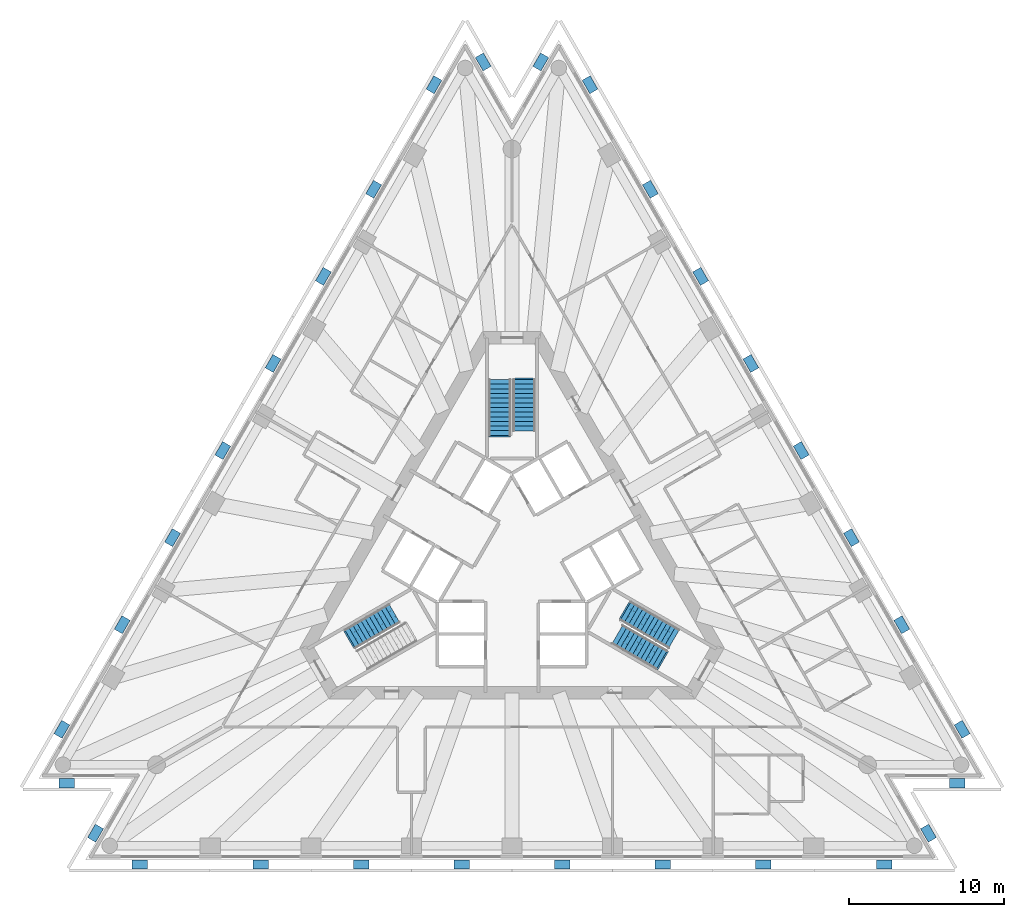
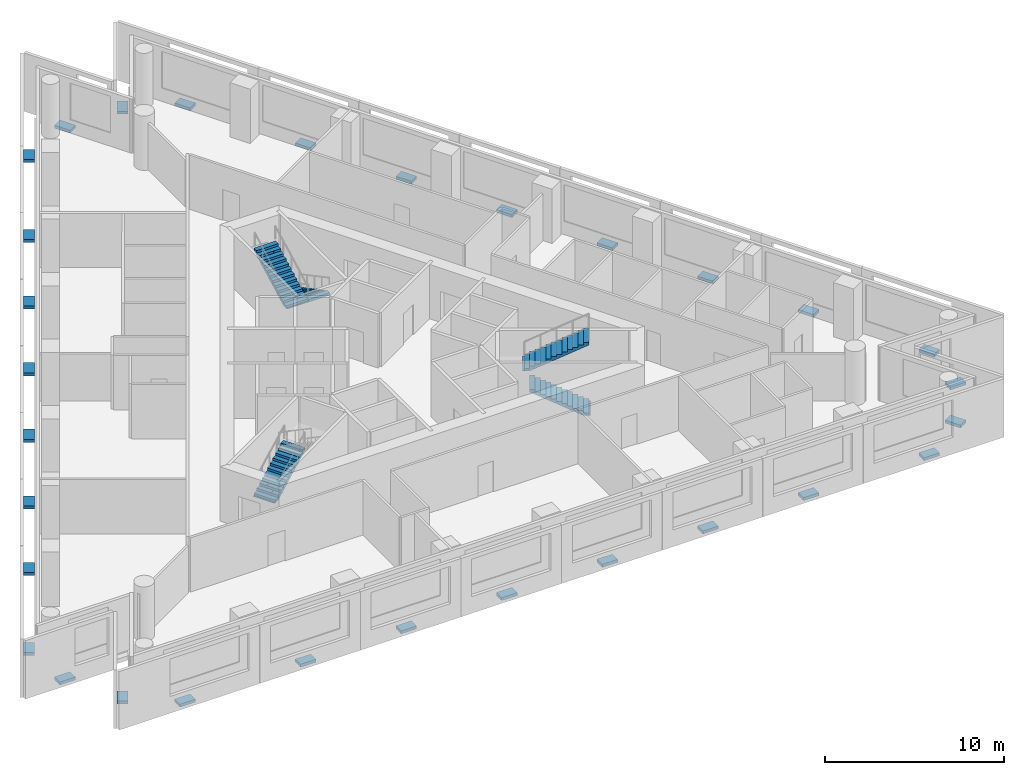
# One storey, part 7 of 9: 30 discrete accessories, 5 stair flights, 3 elements without a shape of their own.
"""IFC4 building model written with IfcOpenShell, lengths in metres."""

from ifc_helpers import new_model, si_unit, direction, frame, origin, origin_2d, place, context, subcontext, project, spatial, polyline, rectangle, outline, extrude, material, type_object, element, aggregate, save


model = new_model("IFC4")

# Units and contexts
model_context = context("Model", 3, precision=1e-05, world=origin(), true_north=direction((0.0, 1.0)))
body_context = subcontext(model_context, "Body", "Model", "MODEL_VIEW")
ifc_project = project(units=[si_unit("LENGTHUNIT", "METRE"), si_unit("AREAUNIT", "SQUARE_METRE"), si_unit("VOLUMEUNIT", "CUBIC_METRE"), si_unit("PLANEANGLEUNIT", "RADIAN"), si_unit("MASSUNIT", "GRAM", prefix="KILO")], contexts=[model_context])

# Site, building, storey
site_placement = place(None, origin())
site = spatial("IfcSite", under=ifc_project, at=site_placement, CompositionType="ELEMENT")
building_placement = place(site_placement, origin())
building = spatial("IfcBuilding", under=site, at=building_placement, Name="Triada Interchange Tower", CompositionType="ELEMENT")
storey_placement = place(building_placement, frame((0.0, 0.0, 164.300048828125)))
storey = spatial("IfcBuildingStorey", under=building, at=storey_placement, Name="L38", CompositionType="ELEMENT", Elevation=164.300048828125)

# Stair, stair flights
ifc_material_1 = material(Name="Concrete C35/45", Category="concrete")
stair_type = type_object("IfcStairType", Name="HALF TURN STAIR 1400", PredefinedType="HALF_TURN_STAIR", material=ifc_material_1)
stair_1_placement = place(storey_placement, origin())
stair_1 = element("IfcStair", 1, at=stair_1_placement, inside=storey, type_object=stair_type, Name="Exit stair S38-1", PredefinedType="HALF_TURN_STAIR")
stair_flight_type = type_object("IfcStairFlightType", Name="STRAIGHT STAIR FLIGHT 1400", PredefinedType="STRAIGHT", material=ifc_material_1)
stair_flight_1_placement = place(storey_placement, frame((0.800048828125, 11.60009765625, 0.0), z_axis=(0.0, 0.0, 1.0), x_axis=(0.0, -1.0, 0.0)))
stair_flight_1 = element("IfcStairFlight", 2, at=stair_flight_1_placement, type_object=stair_flight_type, Name="S38-1 flight 1", NumberOfRisers=12, NumberOfTreads=11, PredefinedType="STRAIGHT", RiserHeight=0.16, TreadLength=0.3, context=body_context, shape_type="SweptSolid", body=[
    extrude(outline(polyline([(-0.10009765625, 0.0), (-0.10009765625, 0.02001953125), (0.0, 0.02001953125), (0.0, 0.159912109375), (0.300048828125, 0.159912109375), (0.300048828125, 0.320068359375), (0.60009765625, 0.320068359375), (0.60009765625, 0.47998046875), (0.89990234375, 0.47998046875), (0.89990234375, 0.639892578125), (1.199951171875, 0.639892578125), (1.199951171875, 0.800048828125), (1.5, 0.800048828125), (1.5, 0.9599609375), (1.800048828125, 0.9599609375), (1.800048828125, 1.1201171875), (2.10009765625, 1.1201171875), (2.10009765625, 1.280029296875), (2.39990234375, 1.280029296875), (2.39990234375, 1.43994140625), (2.699951171875, 1.43994140625), (2.699951171875, 1.60009765625), (3.0, 1.60009765625), (3.0, 1.760009765625), (3.300048828125, 1.760009765625), (3.303955078125, 1.760009765625), (3.303955078125, 1.919921875), (3.303955078125, 1.590087890625), (0.318603515625, 0.0), (-0.10009765625, 0.0)])), frame((0.0, 0.699951171875, 0.0), z_axis=(0.0, -1.0, 0.0), x_axis=(1.0, 0.0, 0.0)), (0.0, 0.0, 1.0), 0.46533203125),
    extrude(outline(polyline([(-0.10009765625, 0.0), (-0.10009765625, 0.02001953125), (0.0, 0.02001953125), (0.0, 0.159912109375), (0.300048828125, 0.159912109375), (0.300048828125, 0.320068359375), (0.60009765625, 0.320068359375), (0.60009765625, 0.47998046875), (0.89990234375, 0.47998046875), (0.89990234375, 0.639892578125), (1.199951171875, 0.639892578125), (1.199951171875, 0.800048828125), (1.5, 0.800048828125), (1.5, 0.9599609375), (1.800048828125, 0.9599609375), (1.800048828125, 1.1201171875), (2.10009765625, 1.1201171875), (2.10009765625, 1.280029296875), (2.39990234375, 1.280029296875), (2.39990234375, 1.43994140625), (2.699951171875, 1.43994140625), (2.699951171875, 1.60009765625), (3.0, 1.60009765625), (3.0, 1.760009765625), (3.300048828125, 1.760009765625), (3.303955078125, 1.760009765625), (3.303955078125, 1.919921875), (3.303955078125, 1.590087890625), (0.318603515625, 0.0), (-0.10009765625, 0.0)])), frame((0.0, 0.232666015625, 0.0), z_axis=(0.0, -1.0, 0.0), x_axis=(1.0, 0.0, 0.0)), (0.0, 0.0, 1.0), 0.46533203125),
    extrude(outline(polyline([(-0.10009765625, 0.0), (-0.10009765625, 0.02001953125), (0.0, 0.02001953125), (0.0, 0.159912109375), (0.300048828125, 0.159912109375), (0.300048828125, 0.320068359375), (0.60009765625, 0.320068359375), (0.60009765625, 0.47998046875), (0.89990234375, 0.47998046875), (0.89990234375, 0.639892578125), (1.199951171875, 0.639892578125), (1.199951171875, 0.800048828125), (1.5, 0.800048828125), (1.5, 0.9599609375), (1.800048828125, 0.9599609375), (1.800048828125, 1.1201171875), (2.10009765625, 1.1201171875), (2.10009765625, 1.280029296875), (2.39990234375, 1.280029296875), (2.39990234375, 1.43994140625), (2.699951171875, 1.43994140625), (2.699951171875, 1.60009765625), (3.0, 1.60009765625), (3.0, 1.760009765625), (3.300048828125, 1.760009765625), (3.303955078125, 1.760009765625), (3.303955078125, 1.919921875), (3.303955078125, 1.590087890625), (0.318603515625, 0.0), (-0.10009765625, 0.0)])), frame((0.0, -0.234619140625, 0.0), z_axis=(0.0, -1.0, 0.0), x_axis=(1.0, 0.0, 0.0)), (0.0, 0.0, 1.0), 0.46533203125),
])
stair_flight_2_placement = place(storey_placement, frame((-0.800048828125, 8.0, 1.919921875), z_axis=(0.0, 0.0, 1.0), x_axis=(0.0, 1.0, 0.0)))
stair_flight_2 = element("IfcStairFlight", 3, at=stair_flight_2_placement, type_object=stair_flight_type, Name="S38-1 flight 2", NumberOfRisers=13, NumberOfTreads=12, PredefinedType="STRAIGHT", RiserHeight=0.16, TreadLength=0.3, context=body_context, shape_type="SweptSolid", body=[
    extrude(outline(polyline([(-0.10009765625, 0.0), (-0.10009765625, 0.02001953125), (0.0, 0.02001953125), (0.0, 0.159912109375), (0.300048828125, 0.159912109375), (0.300048828125, 0.320068359375), (0.60009765625, 0.320068359375), (0.60009765625, 0.47998046875), (0.89990234375, 0.47998046875), (0.89990234375, 0.639892578125), (1.199951171875, 0.639892578125), (1.199951171875, 0.800048828125), (1.5, 0.800048828125), (1.5, 0.9599609375), (1.800048828125, 0.9599609375), (1.800048828125, 1.1201171875), (2.10009765625, 1.1201171875), (2.10009765625, 1.280029296875), (2.39990234375, 1.280029296875), (2.39990234375, 1.43994140625), (2.699951171875, 1.43994140625), (2.699951171875, 1.60009765625), (3.0, 1.60009765625), (3.0, 1.760009765625), (3.300048828125, 1.760009765625), (3.300048828125, 1.919921875), (3.60009765625, 1.919921875), (3.60400390625, 1.919921875), (3.60400390625, 2.080078125), (3.60400390625, 1.75), (0.318603515625, 0.0), (-0.10009765625, 0.0)])), frame((0.0, 0.699951171875, 0.0), z_axis=(0.0, -1.0, 0.0), x_axis=(1.0, 0.0, 0.0)), (0.0, 0.0, 1.0), 0.46533203125),
    extrude(outline(polyline([(-0.10009765625, 0.0), (-0.10009765625, 0.02001953125), (0.0, 0.02001953125), (0.0, 0.159912109375), (0.300048828125, 0.159912109375), (0.300048828125, 0.320068359375), (0.60009765625, 0.320068359375), (0.60009765625, 0.47998046875), (0.89990234375, 0.47998046875), (0.89990234375, 0.639892578125), (1.199951171875, 0.639892578125), (1.199951171875, 0.800048828125), (1.5, 0.800048828125), (1.5, 0.9599609375), (1.800048828125, 0.9599609375), (1.800048828125, 1.1201171875), (2.10009765625, 1.1201171875), (2.10009765625, 1.280029296875), (2.39990234375, 1.280029296875), (2.39990234375, 1.43994140625), (2.699951171875, 1.43994140625), (2.699951171875, 1.60009765625), (3.0, 1.60009765625), (3.0, 1.760009765625), (3.300048828125, 1.760009765625), (3.300048828125, 1.919921875), (3.60009765625, 1.919921875), (3.60400390625, 1.919921875), (3.60400390625, 2.080078125), (3.60400390625, 1.75), (0.318603515625, 0.0), (-0.10009765625, 0.0)])), frame((0.0, 0.232666015625, 0.0), z_axis=(0.0, -1.0, 0.0), x_axis=(1.0, 0.0, 0.0)), (0.0, 0.0, 1.0), 0.46533203125),
    extrude(outline(polyline([(-0.10009765625, 0.0), (-0.10009765625, 0.02001953125), (0.0, 0.02001953125), (0.0, 0.159912109375), (0.300048828125, 0.159912109375), (0.300048828125, 0.320068359375), (0.60009765625, 0.320068359375), (0.60009765625, 0.47998046875), (0.89990234375, 0.47998046875), (0.89990234375, 0.639892578125), (1.199951171875, 0.639892578125), (1.199951171875, 0.800048828125), (1.5, 0.800048828125), (1.5, 0.9599609375), (1.800048828125, 0.9599609375), (1.800048828125, 1.1201171875), (2.10009765625, 1.1201171875), (2.10009765625, 1.280029296875), (2.39990234375, 1.280029296875), (2.39990234375, 1.43994140625), (2.699951171875, 1.43994140625), (2.699951171875, 1.60009765625), (3.0, 1.60009765625), (3.0, 1.760009765625), (3.300048828125, 1.760009765625), (3.300048828125, 1.919921875), (3.60009765625, 1.919921875), (3.60400390625, 1.919921875), (3.60400390625, 2.080078125), (3.60400390625, 1.75), (0.318603515625, 0.0), (-0.10009765625, 0.0)])), frame((0.0, -0.234619140625, 0.0), z_axis=(0.0, -1.0, 0.0), x_axis=(1.0, 0.0, 0.0)), (0.0, 0.0, 1.0), 0.46533203125),
])
aggregate(stair_1, [stair_flight_1, stair_flight_2])

# Stair, stair flight
stair_2_placement = place(storey_placement, origin())
stair_2 = element("IfcStair", 4, at=stair_2_placement, inside=storey, type_object=stair_type, Name="Exit stair S38-2", PredefinedType="HALF_TURN_STAIR")
stair_flight_3_placement = place(storey_placement, frame((-10.446044921875, -5.10693359375, 0.0), z_axis=(0.0, 0.0, 1.0), x_axis=(0.866025403784, 0.5, 0.0)))
stair_flight_3 = element("IfcStairFlight", 5, at=stair_flight_3_placement, type_object=stair_flight_type, Name="S38-2 flight 1", NumberOfRisers=12, NumberOfTreads=11, PredefinedType="STRAIGHT", RiserHeight=0.16, TreadLength=0.3, context=body_context, shape_type="SweptSolid", body=[
    extrude(outline(polyline([(-0.10009765625, 0.0), (-0.10009765625, 0.02001953125), (0.0, 0.02001953125), (0.0, 0.159912109375), (0.300048828125, 0.159912109375), (0.300048828125, 0.320068359375), (0.60009765625, 0.320068359375), (0.60009765625, 0.47998046875), (0.89990234375, 0.47998046875), (0.89990234375, 0.639892578125), (1.199951171875, 0.639892578125), (1.199951171875, 0.800048828125), (1.5, 0.800048828125), (1.5, 0.9599609375), (1.800048828125, 0.9599609375), (1.800048828125, 1.1201171875), (2.10009765625, 1.1201171875), (2.10009765625, 1.280029296875), (2.39990234375, 1.280029296875), (2.39990234375, 1.43994140625), (2.699951171875, 1.43994140625), (2.699951171875, 1.60009765625), (3.0, 1.60009765625), (3.0, 1.760009765625), (3.300048828125, 1.760009765625), (3.303955078125, 1.760009765625), (3.303955078125, 1.919921875), (3.303955078125, 1.590087890625), (0.318603515625, 0.0), (-0.10009765625, 0.0)])), frame((0.0, 0.699951171875, 0.0), z_axis=(0.0, -1.0, 0.0), x_axis=(1.0, 0.0, 0.0)), (0.0, 0.0, 1.0), 0.46533203125),
    extrude(outline(polyline([(-0.10009765625, 0.0), (-0.10009765625, 0.02001953125), (0.0, 0.02001953125), (0.0, 0.159912109375), (0.300048828125, 0.159912109375), (0.300048828125, 0.320068359375), (0.60009765625, 0.320068359375), (0.60009765625, 0.47998046875), (0.89990234375, 0.47998046875), (0.89990234375, 0.639892578125), (1.199951171875, 0.639892578125), (1.199951171875, 0.800048828125), (1.5, 0.800048828125), (1.5, 0.9599609375), (1.800048828125, 0.9599609375), (1.800048828125, 1.1201171875), (2.10009765625, 1.1201171875), (2.10009765625, 1.280029296875), (2.39990234375, 1.280029296875), (2.39990234375, 1.43994140625), (2.699951171875, 1.43994140625), (2.699951171875, 1.60009765625), (3.0, 1.60009765625), (3.0, 1.760009765625), (3.300048828125, 1.760009765625), (3.303955078125, 1.760009765625), (3.303955078125, 1.919921875), (3.303955078125, 1.590087890625), (0.318603515625, 0.0), (-0.10009765625, 0.0)])), frame((0.0, 0.232666015625, 0.0), z_axis=(0.0, -1.0, 0.0), x_axis=(1.0, 0.0, 0.0)), (0.0, 0.0, 1.0), 0.46533203125),
    extrude(outline(polyline([(-0.10009765625, 0.0), (-0.10009765625, 0.02001953125), (0.0, 0.02001953125), (0.0, 0.159912109375), (0.300048828125, 0.159912109375), (0.300048828125, 0.320068359375), (0.60009765625, 0.320068359375), (0.60009765625, 0.47998046875), (0.89990234375, 0.47998046875), (0.89990234375, 0.639892578125), (1.199951171875, 0.639892578125), (1.199951171875, 0.800048828125), (1.5, 0.800048828125), (1.5, 0.9599609375), (1.800048828125, 0.9599609375), (1.800048828125, 1.1201171875), (2.10009765625, 1.1201171875), (2.10009765625, 1.280029296875), (2.39990234375, 1.280029296875), (2.39990234375, 1.43994140625), (2.699951171875, 1.43994140625), (2.699951171875, 1.60009765625), (3.0, 1.60009765625), (3.0, 1.760009765625), (3.300048828125, 1.760009765625), (3.303955078125, 1.760009765625), (3.303955078125, 1.919921875), (3.303955078125, 1.590087890625), (0.318603515625, 0.0), (-0.10009765625, 0.0)])), frame((0.0, -0.234619140625, 0.0), z_axis=(0.0, -1.0, 0.0), x_axis=(1.0, 0.0, 0.0)), (0.0, 0.0, 1.0), 0.46533203125),
])
aggregate(stair_2, [stair_flight_3])

# Stair, stair flights
stair_3_placement = place(storey_placement, origin())
stair_3 = element("IfcStair", 6, at=stair_3_placement, inside=storey, type_object=stair_type, Name="Exit stair S38-3", PredefinedType="HALF_TURN_STAIR")
stair_flight_4_placement = place(storey_placement, frame((9.64599609375, -6.492919921875, 0.0), z_axis=(0.0, 0.0, 1.0), x_axis=(-0.866025403784, 0.5, 0.0)))
stair_flight_4 = element("IfcStairFlight", 7, at=stair_flight_4_placement, type_object=stair_flight_type, Name="S38-3 flight 1", NumberOfRisers=12, NumberOfTreads=11, PredefinedType="STRAIGHT", RiserHeight=0.16, TreadLength=0.3, context=body_context, shape_type="SweptSolid", body=[
    extrude(outline(polyline([(-0.10009765625, 0.0), (-0.10009765625, 0.02001953125), (0.0, 0.02001953125), (0.0, 0.159912109375), (0.300048828125, 0.159912109375), (0.300048828125, 0.320068359375), (0.60009765625, 0.320068359375), (0.60009765625, 0.47998046875), (0.89990234375, 0.47998046875), (0.89990234375, 0.639892578125), (1.199951171875, 0.639892578125), (1.199951171875, 0.800048828125), (1.5, 0.800048828125), (1.5, 0.9599609375), (1.800048828125, 0.9599609375), (1.800048828125, 1.1201171875), (2.10009765625, 1.1201171875), (2.10009765625, 1.280029296875), (2.39990234375, 1.280029296875), (2.39990234375, 1.43994140625), (2.699951171875, 1.43994140625), (2.699951171875, 1.60009765625), (3.0, 1.60009765625), (3.0, 1.760009765625), (3.300048828125, 1.760009765625), (3.303955078125, 1.760009765625), (3.303955078125, 1.919921875), (3.303955078125, 1.590087890625), (0.318603515625, 0.0), (-0.10009765625, 0.0)])), frame((0.0, 0.699951171875, 0.0), z_axis=(0.0, -1.0, 0.0), x_axis=(1.0, 0.0, 0.0)), (0.0, 0.0, 1.0), 0.46533203125),
    extrude(outline(polyline([(-0.10009765625, 0.0), (-0.10009765625, 0.02001953125), (0.0, 0.02001953125), (0.0, 0.159912109375), (0.300048828125, 0.159912109375), (0.300048828125, 0.320068359375), (0.60009765625, 0.320068359375), (0.60009765625, 0.47998046875), (0.89990234375, 0.47998046875), (0.89990234375, 0.639892578125), (1.199951171875, 0.639892578125), (1.199951171875, 0.800048828125), (1.5, 0.800048828125), (1.5, 0.9599609375), (1.800048828125, 0.9599609375), (1.800048828125, 1.1201171875), (2.10009765625, 1.1201171875), (2.10009765625, 1.280029296875), (2.39990234375, 1.280029296875), (2.39990234375, 1.43994140625), (2.699951171875, 1.43994140625), (2.699951171875, 1.60009765625), (3.0, 1.60009765625), (3.0, 1.760009765625), (3.300048828125, 1.760009765625), (3.303955078125, 1.760009765625), (3.303955078125, 1.919921875), (3.303955078125, 1.590087890625), (0.318603515625, 0.0), (-0.10009765625, 0.0)])), frame((0.0, 0.232666015625, 0.0), z_axis=(0.0, -1.0, 0.0), x_axis=(1.0, 0.0, 0.0)), (0.0, 0.0, 1.0), 0.46533203125),
    extrude(outline(polyline([(-0.10009765625, 0.0), (-0.10009765625, 0.02001953125), (0.0, 0.02001953125), (0.0, 0.159912109375), (0.300048828125, 0.159912109375), (0.300048828125, 0.320068359375), (0.60009765625, 0.320068359375), (0.60009765625, 0.47998046875), (0.89990234375, 0.47998046875), (0.89990234375, 0.639892578125), (1.199951171875, 0.639892578125), (1.199951171875, 0.800048828125), (1.5, 0.800048828125), (1.5, 0.9599609375), (1.800048828125, 0.9599609375), (1.800048828125, 1.1201171875), (2.10009765625, 1.1201171875), (2.10009765625, 1.280029296875), (2.39990234375, 1.280029296875), (2.39990234375, 1.43994140625), (2.699951171875, 1.43994140625), (2.699951171875, 1.60009765625), (3.0, 1.60009765625), (3.0, 1.760009765625), (3.300048828125, 1.760009765625), (3.303955078125, 1.760009765625), (3.303955078125, 1.919921875), (3.303955078125, 1.590087890625), (0.318603515625, 0.0), (-0.10009765625, 0.0)])), frame((0.0, -0.234619140625, 0.0), z_axis=(0.0, -1.0, 0.0), x_axis=(1.0, 0.0, 0.0)), (0.0, 0.0, 1.0), 0.46533203125),
])
stair_flight_5_placement = place(storey_placement, frame((7.327880859375, -3.306884765625, 1.919921875), z_axis=(0.0, 0.0, 1.0), x_axis=(0.866025403784, -0.5, 0.0)))
stair_flight_5 = element("IfcStairFlight", 8, at=stair_flight_5_placement, type_object=stair_flight_type, Name="S38-3 flight 2", NumberOfRisers=13, NumberOfTreads=12, PredefinedType="STRAIGHT", RiserHeight=0.16, TreadLength=0.3, context=body_context, shape_type="SweptSolid", body=[
    extrude(outline(polyline([(-0.10009765625, 0.0), (-0.10009765625, 0.02001953125), (0.0, 0.02001953125), (0.0, 0.159912109375), (0.300048828125, 0.159912109375), (0.300048828125, 0.320068359375), (0.60009765625, 0.320068359375), (0.60009765625, 0.47998046875), (0.89990234375, 0.47998046875), (0.89990234375, 0.639892578125), (1.199951171875, 0.639892578125), (1.199951171875, 0.800048828125), (1.5, 0.800048828125), (1.5, 0.9599609375), (1.800048828125, 0.9599609375), (1.800048828125, 1.1201171875), (2.10009765625, 1.1201171875), (2.10009765625, 1.280029296875), (2.39990234375, 1.280029296875), (2.39990234375, 1.43994140625), (2.699951171875, 1.43994140625), (2.699951171875, 1.60009765625), (3.0, 1.60009765625), (3.0, 1.760009765625), (3.300048828125, 1.760009765625), (3.300048828125, 1.919921875), (3.60009765625, 1.919921875), (3.60400390625, 1.919921875), (3.60400390625, 2.080078125), (3.60400390625, 1.75), (0.318603515625, 0.0), (-0.10009765625, 0.0)])), frame((0.0, 0.699951171875, 0.0), z_axis=(0.0, -1.0, 0.0), x_axis=(1.0, 0.0, 0.0)), (0.0, 0.0, 1.0), 0.46533203125),
    extrude(outline(polyline([(-0.10009765625, 0.0), (-0.10009765625, 0.02001953125), (0.0, 0.02001953125), (0.0, 0.159912109375), (0.300048828125, 0.159912109375), (0.300048828125, 0.320068359375), (0.60009765625, 0.320068359375), (0.60009765625, 0.47998046875), (0.89990234375, 0.47998046875), (0.89990234375, 0.639892578125), (1.199951171875, 0.639892578125), (1.199951171875, 0.800048828125), (1.5, 0.800048828125), (1.5, 0.9599609375), (1.800048828125, 0.9599609375), (1.800048828125, 1.1201171875), (2.10009765625, 1.1201171875), (2.10009765625, 1.280029296875), (2.39990234375, 1.280029296875), (2.39990234375, 1.43994140625), (2.699951171875, 1.43994140625), (2.699951171875, 1.60009765625), (3.0, 1.60009765625), (3.0, 1.760009765625), (3.300048828125, 1.760009765625), (3.300048828125, 1.919921875), (3.60009765625, 1.919921875), (3.60400390625, 1.919921875), (3.60400390625, 2.080078125), (3.60400390625, 1.75), (0.318603515625, 0.0), (-0.10009765625, 0.0)])), frame((0.0, 0.232666015625, 0.0), z_axis=(0.0, -1.0, 0.0), x_axis=(1.0, 0.0, 0.0)), (0.0, 0.0, 1.0), 0.46533203125),
    extrude(outline(polyline([(-0.10009765625, 0.0), (-0.10009765625, 0.02001953125), (0.0, 0.02001953125), (0.0, 0.159912109375), (0.300048828125, 0.159912109375), (0.300048828125, 0.320068359375), (0.60009765625, 0.320068359375), (0.60009765625, 0.47998046875), (0.89990234375, 0.47998046875), (0.89990234375, 0.639892578125), (1.199951171875, 0.639892578125), (1.199951171875, 0.800048828125), (1.5, 0.800048828125), (1.5, 0.9599609375), (1.800048828125, 0.9599609375), (1.800048828125, 1.1201171875), (2.10009765625, 1.1201171875), (2.10009765625, 1.280029296875), (2.39990234375, 1.280029296875), (2.39990234375, 1.43994140625), (2.699951171875, 1.43994140625), (2.699951171875, 1.60009765625), (3.0, 1.60009765625), (3.0, 1.760009765625), (3.300048828125, 1.760009765625), (3.300048828125, 1.919921875), (3.60009765625, 1.919921875), (3.60400390625, 1.919921875), (3.60400390625, 2.080078125), (3.60400390625, 1.75), (0.318603515625, 0.0), (-0.10009765625, 0.0)])), frame((0.0, -0.234619140625, 0.0), z_axis=(0.0, -1.0, 0.0), x_axis=(1.0, 0.0, 0.0)), (0.0, 0.0, 1.0), 0.46533203125),
])
aggregate(stair_3, [stair_flight_4, stair_flight_5])

# Discrete accessories
ifc_material_2 = material(Name="Steel S355", Category="steel")
discrete_accessory_type = type_object("IfcDiscreteAccessoryType", Name="Steel bracket outer skin", PredefinedType="BRACKET", material=ifc_material_2)
for number, where, z_axis, x_axis, name in (
    (9, (-5.027099609375, 30.60009765625, -0.27001953125), (0.0, 0.0, 1.0), (-0.866022619971, 0.500004821676, 0.0), "Bracket L38 01"),
    (10, (-8.91796875, 23.861083984375, -0.27001953125), (0.0, 0.0, 1.0), (-0.866022619971, 0.500004821676, 0.0), "Bracket L38 02"),
    (11, (-12.158935546875, 18.248046875, -0.27001953125), (0.0, 0.0, 1.0), (-0.866022619971, 0.500004821676, 0.0), "Bracket L38 03"),
    (12, (-15.39990234375, 12.634033203125, -0.27001953125), (0.0, 0.0, 1.0), (-0.866022619971, 0.500004821676, 0.0), "Bracket L38 04"),
    (13, (-18.64111328125, 7.02001953125, -0.27001953125), (0.0, 0.0, 1.0), (-0.866022619971, 0.500004821676, 0.0), "Bracket L38 05"),
    (14, (-21.882080078125, 1.406005859375, -0.27001953125), (0.0, 0.0, 1.0), (-0.866022619971, 0.500004821676, 0.0), "Bracket L38 06"),
    (15, (-25.1240234375, -4.20703125, -0.27001953125), (0.0, 0.0, 1.0), (-0.866022619971, 0.500004821676, 0.0), "Bracket L38 07"),
    (16, (-29.013916015625, -10.946044921875, -0.27001953125), (0.0, 0.0, 1.0), (-0.866022619971, 0.500004821676, 0.0), "Bracket L38 08"),
    (17, (-28.699951171875, -14.427978515625, -0.27001953125), (0.0, 0.0, 1.0), (0.0, -1.0, 0.0), "Bracket L38 09"),
    (18, (-26.844970703125, -17.64111328125, -0.27001953125), (0.0, 0.0, 1.0), (-0.86604208865, 0.499971099852, 0.0), "Bracket L38 10"),
    (19, (-23.987060546875, -19.654052734375, -0.27001953125), (0.0, 0.0, 1.0), (0.0, -1.0, 0.0), "Bracket L38 11"),
    (20, (-16.2060546875, -19.654052734375, -0.27001953125), (0.0, 0.0, 1.0), (0.0, -1.0, 0.0), "Bracket L38 12"),
    (21, (-9.722900390625, -19.654052734375, -0.27001953125), (0.0, 0.0, 1.0), (0.0, -1.0, 0.0), "Bracket L38 13"),
    (22, (-3.240966796875, -19.654052734375, -0.27001953125), (0.0, 0.0, 1.0), (0.0, -1.0, 0.0), "Bracket L38 14"),
    (23, (3.240966796875, -19.654052734375, -0.27001953125), (0.0, 0.0, 1.0), (0.0, -1.0, 0.0), "Bracket L38 15"),
    (24, (9.722900390625, -19.654052734375, -0.27001953125), (0.0, 0.0, 1.0), (0.0, -1.0, 0.0), "Bracket L38 16"),
    (25, (16.2060546875, -19.654052734375, -0.27001953125), (0.0, 0.0, 1.0), (0.0, -1.0, 0.0), "Bracket L38 17"),
    (26, (23.987060546875, -19.654052734375, -0.27001953125), (0.0, 0.0, 1.0), (0.0, -1.0, 0.0), "Bracket L38 18"),
    (27, (26.844970703125, -17.64111328125, -0.27001953125), (0.0, 0.0, 1.0), (0.86604208865, 0.499971099852, 0.0), "Bracket L38 19"),
    (28, (28.699951171875, -14.427978515625, -0.27001953125), (0.0, 0.0, 1.0), (0.0, -1.0, 0.0), "Bracket L38 20"),
    (29, (29.013916015625, -10.946044921875, -0.27001953125), (0.0, 0.0, 1.0), (0.866022619971, 0.500004821676, 0.0), "Bracket L38 21"),
    (30, (25.1240234375, -4.20703125, -0.27001953125), (0.0, 0.0, 1.0), (0.866022619971, 0.500004821676, 0.0), "Bracket L38 22"),
    (31, (21.882080078125, 1.406005859375, -0.27001953125), (0.0, 0.0, 1.0), (0.866022619971, 0.500004821676, 0.0), "Bracket L38 23"),
    (32, (18.64111328125, 7.02001953125, -0.27001953125), (0.0, 0.0, 1.0), (0.866022619971, 0.500004821676, 0.0), "Bracket L38 24"),
    (33, (15.39990234375, 12.634033203125, -0.27001953125), (0.0, 0.0, 1.0), (0.866022619971, 0.500004821676, 0.0), "Bracket L38 25"),
    (34, (12.158935546875, 18.248046875, -0.27001953125), (0.0, 0.0, 1.0), (0.866022619971, 0.500004821676, 0.0), "Bracket L38 26"),
    (35, (8.91796875, 23.861083984375, -0.27001953125), (0.0, 0.0, 1.0), (0.866022619971, 0.500004821676, 0.0), "Bracket L38 27"),
    (36, (5.027099609375, 30.60009765625, -0.27001953125), (0.0, 0.0, 1.0), (0.866022619971, 0.500004821676, 0.0), "Bracket L38 28"),
    (37, (1.85498046875, 32.069091796875, -0.27001953125), (0.0, 0.0, 1.0), (-0.866000653955, 0.500042865512, 0.0), "Bracket L38 29"),
    (38, (-1.85498046875, 32.069091796875, -0.27001953125), (0.0, 0.0, 1.0), (0.866000653955, 0.500042865512, 0.0), "Bracket L38 30"),
):
    element("IfcDiscreteAccessory", number, at=place(storey_placement, frame(where, z_axis=z_axis, x_axis=x_axis)), inside=storey, type_object=discrete_accessory_type, Name=name, PredefinedType="BRACKET", context=body_context, shape_type="SweptSolid", body=[
        extrude(rectangle(XDim=0.60009765625, YDim=1.0, at=origin_2d()), origin(), (0.0, 0.0, 1.0), 0.199951171875),
    ])

save(model, "model.ifc")
